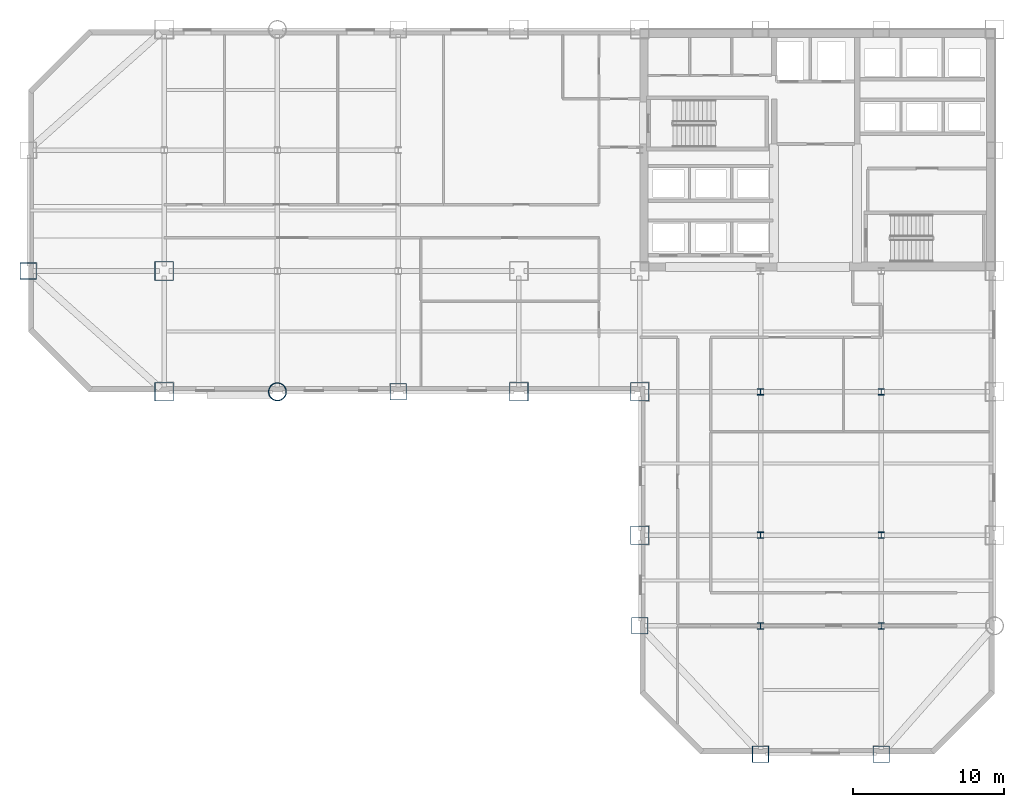
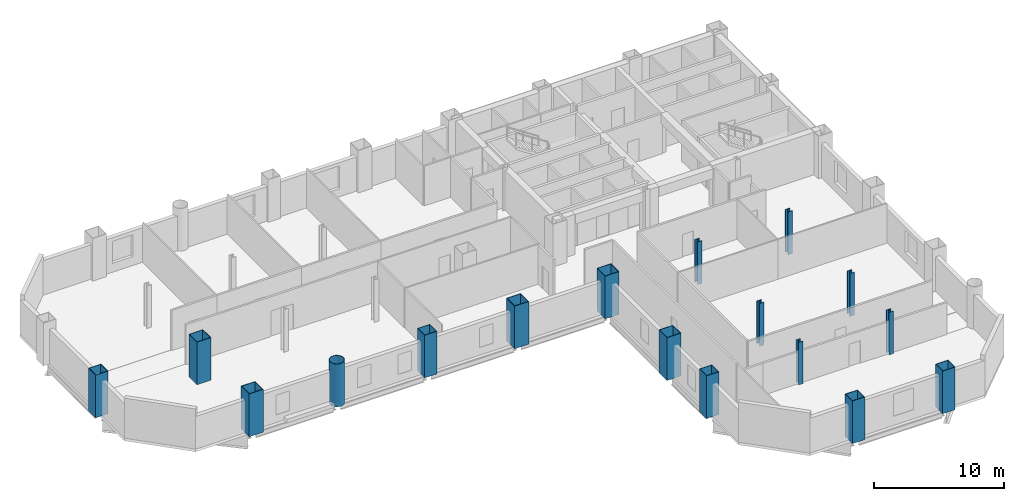
# One storey, part 1 of 9: 17 columns.
"""IFC4 building model written with IfcOpenShell, lengths in metres."""

from ifc_helpers import new_model, si_unit, direction, frame, origin, origin_2d, place, context, subcontext, project, spatial, hollow_rectangle, hollow_circle, i_section, extrude, material, material_profile, profile_set, type_object, element, save


model = new_model("IFC4")

# Units and contexts
model_context = context("Model", 3, precision=1e-05, world=origin(), true_north=direction((0.0, 1.0)))
body_context = subcontext(model_context, "Body", "Model", "MODEL_VIEW")
ifc_project = project(units=[si_unit("LENGTHUNIT", "METRE"), si_unit("AREAUNIT", "SQUARE_METRE"), si_unit("VOLUMEUNIT", "CUBIC_METRE"), si_unit("PLANEANGLEUNIT", "RADIAN"), si_unit("MASSUNIT", "GRAM", prefix="KILO")], contexts=[model_context])

# Site, building, storey
site_placement = place(None, origin())
site = spatial("IfcSite", under=ifc_project, at=site_placement, CompositionType="ELEMENT")
building_placement = place(site_placement, origin())
building = spatial("IfcBuilding", under=site, at=building_placement, Name="Qianrong Seaharbour Tower", CompositionType="ELEMENT")
storey_placement = place(building_placement, frame((0.0, 0.0, 88.199951171875)))
storey = spatial("IfcBuildingStorey", under=building, at=storey_placement, Name="L21", CompositionType="ELEMENT", Elevation=88.199951171875)

# Columns
ifc_material = material(Name="Structural steel SN490B", Category="steel")
ifc_material_profile_1 = material_profile(ifc_material, hollow_rectangle(XDim=1.25, YDim=1.25, WallThickness=0.044921875, at=origin_2d()), Name="BOX1250x1250x45")
ifc_profile_set_1 = profile_set([ifc_material_profile_1], Name="Structural steel SN490B")
column_type_1 = type_object("IfcColumnType", Name="COL-CFT-1250", PredefinedType="COLUMN", material=ifc_profile_set_1)
for number, where, z_axis, x_axis, name in (
    (1, (9.0, 28.0, 0.0), (0.0, 0.0, 1.0), (1.0, 0.0, 0.0), "L21 Column MC-2 at G2/GE"),
    (2, (9.0, 36.0, 0.0), (0.0, 0.0, 1.0), (1.0, 0.0, 0.0), "L21 Column MC-2 at G2/GF"),
    (3, (32.5, 28.0, 0.0), (0.0, 0.0, 1.0), (1.0, 0.0, 0.0), "L21 Column MC-2 at G5/GE"),
    (4, (40.5, 18.5, 0.0), (0.0, 0.0, 1.0), (1.0, 0.0, 0.0), "L21 Column MC-2 at G6/GD"),
    (5, (40.5, 28.0, 0.0), (0.0, 0.0, 1.0), (1.0, 0.0, 0.0), "L21 Column MC-2 at G6/GE"),
):
    element("IfcColumn", number, at=place(storey_placement, frame(where, z_axis=z_axis, x_axis=x_axis)), inside=storey, type_object=column_type_1, Name=name, PredefinedType="COLUMN", context=body_context, shape_type="SweptSolid", body=[
        extrude(hollow_rectangle(XDim=1.25, YDim=1.25, WallThickness=0.044921875, at=origin_2d()), origin(), (0.0, 0.0, 1.0), 4.0),
    ])
ifc_material_profile_2 = material_profile(ifc_material, hollow_circle(Radius=0.60009765625, WallThickness=0.0400390625, at=origin_2d()), Name="CHS1200x40")
ifc_profile_set_2 = profile_set([ifc_material_profile_2], Name="Structural steel SN490B")
column_type_2 = type_object("IfcColumnType", Name="COL-CHS-1200", PredefinedType="COLUMN", material=ifc_profile_set_2)
column_placement = place(storey_placement, frame((16.5, 28.0, 0.0), z_axis=(0.0, 0.0, 1.0), x_axis=(1.0, 0.0, 0.0)))
element("IfcColumn", 6, at=column_placement, inside=storey, type_object=column_type_2, Name="L21 Column CC-1 at G3/GE", PredefinedType="COLUMN", context=body_context, shape_type="SweptSolid", body=[
    extrude(hollow_circle(Radius=0.60009765625, WallThickness=0.0400390625, at=origin_2d()), origin(), (0.0, 0.0, 1.0), 4.0),
])
ifc_material_profile_3 = material_profile(ifc_material, i_section(OverallWidth=0.406982421875, OverallDepth=0.427978515625, WebThickness=0.02001953125, FlangeThickness=0.034912109375, FilletRadius=0.02197265625, at=origin_2d()), Name="H428x407x20x35")
ifc_profile_set_3 = profile_set([ifc_material_profile_3], Name="Structural steel SN490B")
column_type_3 = type_object("IfcColumnType", Name="COL-INT-H428", PredefinedType="COLUMN", material=ifc_profile_set_3)
for number, where, z_axis, x_axis, name in (
    (7, (48.5, 12.5, 0.0), (0.0, 0.0, 1.0), (1.0, 0.0, 0.0), "L21 Column IC-2 at G7/GC"),
    (8, (48.5, 18.5, 0.0), (0.0, 0.0, 1.0), (1.0, 0.0, 0.0), "L21 Column IC-2 at G7/GD"),
    (9, (48.5, 28.0, 0.0), (0.0, 0.0, 1.0), (1.0, 0.0, 0.0), "L21 Column IC-2 at G7/GE"),
    (10, (56.5, 12.5, 0.0), (0.0, 0.0, 1.0), (1.0, 0.0, 0.0), "L21 Column IC-2 at G8/GC"),
    (11, (56.5, 18.5, 0.0), (0.0, 0.0, 1.0), (1.0, 0.0, 0.0), "L21 Column IC-2 at G8/GD"),
    (12, (56.5, 28.0, 0.0), (0.0, 0.0, 1.0), (1.0, 0.0, 0.0), "L21 Column IC-2 at G8/GE"),
):
    element("IfcColumn", number, at=place(storey_placement, frame(where, z_axis=z_axis, x_axis=x_axis)), inside=storey, type_object=column_type_3, Name=name, PredefinedType="COLUMN", context=body_context, shape_type="SweptSolid", body=[
        extrude(i_section(OverallWidth=0.406982421875, OverallDepth=0.427978515625, WebThickness=0.02001953125, FlangeThickness=0.034912109375, FilletRadius=0.02197265625, at=origin_2d()), origin(), (0.0, 0.0, 1.0), 4.0),
    ])
ifc_material_profile_4 = material_profile(ifc_material, hollow_rectangle(XDim=1.10009765625, YDim=1.10009765625, WallThickness=0.0400390625, at=origin_2d()), Name="BOX1100x1100x40")
ifc_profile_set_4 = profile_set([ifc_material_profile_4], Name="Structural steel SN490B")
column_type_4 = type_object("IfcColumnType", Name="COL-PER-1100", PredefinedType="COLUMN", material=ifc_profile_set_4)
for number, where, z_axis, x_axis, name in (
    (13, (0.0, 36.0, 0.0), (0.0, 0.0, 1.0), (1.0, 0.0, 0.0), "L21 Column PC-1 at G1/GF"),
    (14, (24.5, 28.0, 0.0), (0.0, 0.0, 1.0), (1.0, 0.0, 0.0), "L21 Column PC-1 at G4/GE"),
    (15, (40.5, 12.5, 0.0), (0.0, 0.0, 1.0), (1.0, 0.0, 0.0), "L21 Column PC-1 at G6/GC"),
    (16, (48.5, 4.0, 0.0), (0.0, 0.0, 1.0), (1.0, 0.0, 0.0), "L21 Column PC-1 at G7/GB"),
    (17, (56.5, 4.0, 0.0), (0.0, 0.0, 1.0), (1.0, 0.0, 0.0), "L21 Column PC-1 at G8/GB"),
):
    element("IfcColumn", number, at=place(storey_placement, frame(where, z_axis=z_axis, x_axis=x_axis)), inside=storey, type_object=column_type_4, Name=name, PredefinedType="COLUMN", context=body_context, shape_type="SweptSolid", body=[
        extrude(hollow_rectangle(XDim=1.10009765625, YDim=1.10009765625, WallThickness=0.0400390625, at=origin_2d()), origin(), (0.0, 0.0, 1.0), 4.0),
    ])

save(model, "model.ifc")
